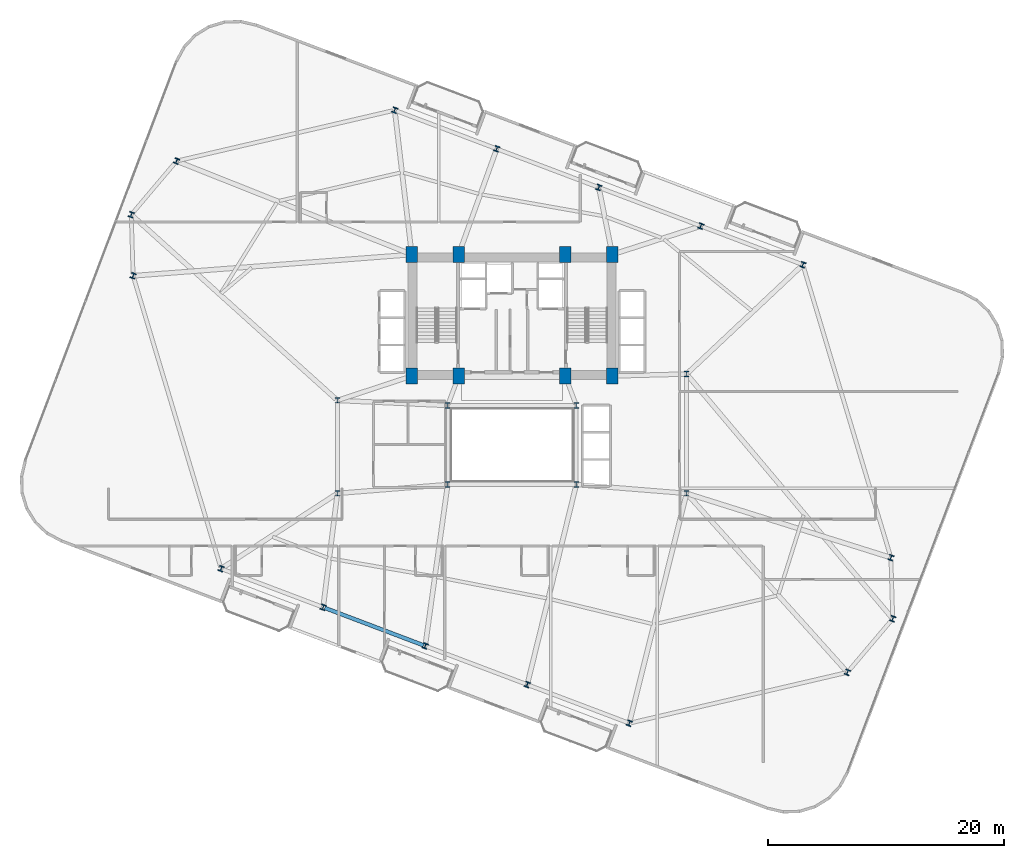
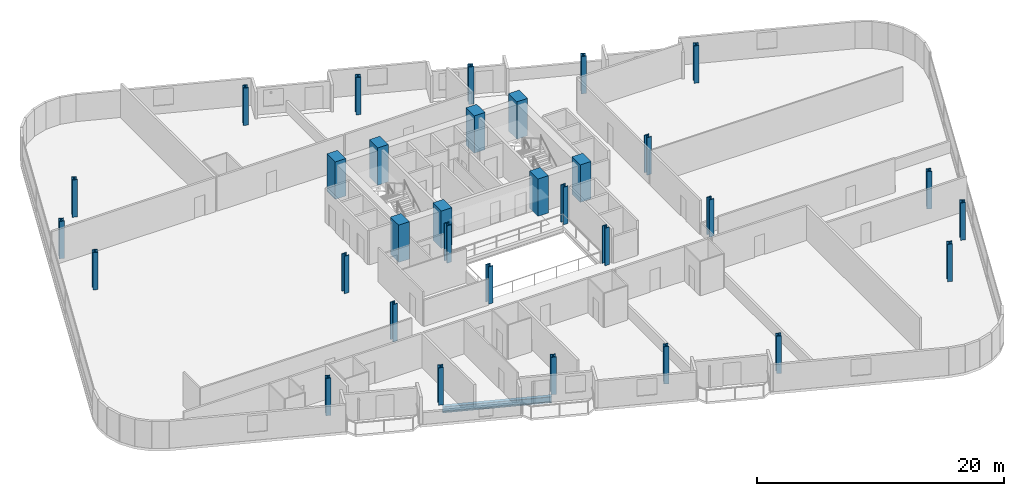
# One storey, part 1 of 25: 32 columns, 1 beam.
"""IFC4 building model written with IfcOpenShell, lengths in metres."""

import ifcopenshell
import ifcopenshell.guid

model = None  # the IFC model being written
_history = None  # IfcOwnerHistory: only IFC2X3 demands one
_inside = {}  # id of a spatial element -> (the spatial element, [elements in it])
_under = {}  # id of a project, library or spatial element -> (it, [spatial elements below it])
_declared = {}  # id of a project -> (the project, [libraries it declares])
_typed = {}  # id of a type object -> (the type object, [elements of that type])
_made_of = {}  # id of a material, layer set ... -> (it, [elements and type objects made of it])


def new_model(schema):
    """Start an empty IFC model of exactly this schema.

    Asked for "IFC4X3", IfcOpenShell would pick the latest addendum, in which some entities
    have other attributes; the version numbers below select the first issue.
    IFC2X3 requires an IfcOwnerHistory on every rooted entity: one is made here for all.
    """
    global model, _history
    if schema == "IFC4X3":
        model = ifcopenshell.file(schema_version=(4, 3, 0, 0))
    else:
        model = ifcopenshell.file(schema=schema)
    _inside.clear()
    _under.clear()
    _declared.clear()
    _typed.clear()
    _made_of.clear()
    _history = None
    if model.schema == "IFC2X3":
        org = make("IfcOrganization", Name="unknown")
        user = make(
            "IfcPersonAndOrganization",
            ThePerson=make("IfcPerson", FamilyName="unknown"),
            TheOrganization=org,
        )
        app = make(
            "IfcApplication",
            ApplicationDeveloper=org,
            Version="unknown",
            ApplicationFullName="unknown",
            ApplicationIdentifier="unknown",
        )
        _history = make(
            "IfcOwnerHistory",
            OwningUser=user,
            OwningApplication=app,
            ChangeAction="ADDED",
            CreationDate=0,
        )
    return model


def make(cls, **values):
    """One entity of the class cls with the attributes given. An attribute that is None is left unset."""
    return model.create_entity(
        cls, **{name: value for name, value in values.items() if value is not None}
    )


def rooted(cls, **values):
    """An entity with a GlobalId (a new one), such as an element, a storey or a relation."""
    return make(cls, GlobalId=ifcopenshell.guid.new(), OwnerHistory=_history, **values)


def si_unit(unit_type, name, prefix=None):
    """IfcSIUnit, for example si_unit("LENGTHUNIT", "METRE", prefix="MILLI")."""
    return make("IfcSIUnit", UnitType=unit_type, Prefix=prefix, Name=name)


def assignment(units):
    """IfcUnitAssignment: the units of a project."""
    return None if units is None else make("IfcUnitAssignment", Units=units)


def point(xyz):
    """IfcCartesianPoint."""
    return None if xyz is None else make("IfcCartesianPoint", Coordinates=xyz)


def direction(xyz):
    """IfcDirection."""
    return None if xyz is None else make("IfcDirection", DirectionRatios=xyz)


def frame(location, z_axis=None, x_axis=None):
    """IfcAxis2Placement3D, a coordinate frame: its origin and axes. An axis left out is left unset."""
    return make(
        "IfcAxis2Placement3D",
        Location=point(location),
        Axis=direction(z_axis),
        RefDirection=direction(x_axis),
    )


def frame_2d(location, x_axis=None):
    """IfcAxis2Placement2D, a coordinate frame in the plane: its origin and x axis."""
    return make(
        "IfcAxis2Placement2D", Location=point(location), RefDirection=direction(x_axis)
    )


def origin():
    """The frame at (0, 0, 0) with its axes left unset."""
    return frame((0.0, 0.0, 0.0))


def origin_2d():
    """The frame at (0, 0) in the plane with its x axis left unset."""
    return frame_2d((0.0, 0.0))


def place(relative_to, where):
    """IfcLocalPlacement: puts the frame where relative to a parent placement (None: the world)."""
    return make(
        "IfcLocalPlacement", PlacementRelTo=relative_to, RelativePlacement=where
    )


def context(
    kind, dimensions, precision=None, world=None, true_north=None, identifier=None
):
    """IfcGeometricRepresentationContext, for example the 3D "Model" context."""
    return make(
        "IfcGeometricRepresentationContext",
        ContextIdentifier=identifier,
        ContextType=kind,
        CoordinateSpaceDimension=dimensions,
        Precision=precision,
        WorldCoordinateSystem=world,
        TrueNorth=true_north,
    )


def subcontext(parent, identifier, kind, view, scale=None):
    """IfcGeometricRepresentationSubContext, for example "Body" below "Model"."""
    return make(
        "IfcGeometricRepresentationSubContext",
        ContextIdentifier=identifier,
        ContextType=kind,
        ParentContext=parent,
        TargetScale=scale,
        TargetView=view,
    )


def project(units=None, contexts=None):
    """IfcProject with its units and contexts."""
    return rooted(
        "IfcProject",
        Name="project",
        RepresentationContexts=contexts,
        UnitsInContext=assignment(units),
    )


def spatial(cls, under=None, at=None, **own):
    """A site, building, storey or space (cls), placed at a placement, below another one or the project."""
    s = rooted(cls, ObjectPlacement=at, **own)
    if under is not None:
        _under.setdefault(under.id(), (under, []))[1].append(s)
    return s


def profile(cls, at=None, kind="AREA", **sizes):
    """A parametric profile (cls). Its sizes go by their IFC names, for example OverallWidth=200.0."""
    return make(cls, ProfileType=kind, Position=at, **sizes)


def rectangle(**sizes):
    """IfcRectangleProfileDef."""
    return profile("IfcRectangleProfileDef", **sizes)


def i_section(**sizes):
    """IfcIShapeProfileDef."""
    return profile("IfcIShapeProfileDef", **sizes)


def extrude(swept, where, along, depth):
    """IfcExtrudedAreaSolid: the profile swept, set in the frame where, extruded along a direction by depth."""
    return make(
        "IfcExtrudedAreaSolid",
        SweptArea=swept,
        Position=where,
        ExtrudedDirection=direction(along),
        Depth=depth,
    )


def shape(context_of_items, identifier, shape_type, items):
    """IfcShapeRepresentation: the items that make up one representation, for example the "Body"."""
    return make(
        "IfcShapeRepresentation",
        ContextOfItems=context_of_items,
        RepresentationIdentifier=identifier,
        RepresentationType=shape_type,
        Items=items,
    )


def material(Name=None, Category=None):
    """IfcMaterial."""
    return make("IfcMaterial", Name=Name, Category=Category)


def material_profile(
    of_material, cross_section, Name=None, Category=None, Priority=None
):
    """IfcMaterialProfile: a cross section and its material."""
    return make(
        "IfcMaterialProfile",
        Name=Name,
        Material=of_material,
        Profile=cross_section,
        Priority=Priority,
        Category=Category,
    )


def profile_set(profiles, Name=None, composite=None):
    """IfcMaterialProfileSet."""
    return make(
        "IfcMaterialProfileSet",
        Name=Name,
        MaterialProfiles=profiles,
        CompositeProfile=composite,
    )


def made_of(thing, what):
    """Note that an element or type object is made of a material, layer set ...; save() writes the relation."""
    if what is not None:
        _made_of.setdefault(what.id(), (what, []))[1].append(thing)
    return thing


def type_object(cls, material=None, **own):
    """A type object (cls), such as IfcWallType, which elements share."""
    return made_of(rooted(cls, **own), material)


def element(
    cls,
    number,
    at=None,
    inside=None,
    cuts=None,
    type_object=None,
    material=None,
    context=None,
    identifier="Body",
    shape_type=None,
    held_by="IfcProductDefinitionShape",
    body=None,
    shapes=None,
    **own,
):
    """One element of the class cls, such as IfcWall. Its Tag is "e" and its number.

    at: its placement. inside: the storey or other place that contains it. cuts: it is an
    opening in that element (IfcRelVoidsElement). A single representation is given by context,
    identifier, shape_type and body (its items); several are given by shapes. held_by: the class
    of the entity that holds the representations. save() writes the other relations.
    """
    e = rooted(cls, Tag="e%d" % number, ObjectPlacement=at, **own)
    if body is not None:
        shapes = [shape(context, identifier, shape_type, body)]
    if shapes is not None:
        e.Representation = make(held_by, Representations=shapes)
    if inside is not None:
        _inside.setdefault(inside.id(), (inside, []))[1].append(e)
    if cuts is not None:
        rooted(
            "IfcRelVoidsElement", RelatingBuildingElement=cuts, RelatedOpeningElement=e
        )
    if type_object is not None:
        _typed.setdefault(type_object.id(), (type_object, []))[1].append(e)
    return made_of(e, material)


def aggregate(whole, parts):
    """IfcRelAggregates: a whole, such as a stair, and the parts it consists of."""
    return rooted("IfcRelAggregates", RelatingObject=whole, RelatedObjects=parts)


def save(model, path):
    """Write the relations noted so far, then the file.

    IfcRelAggregates (storeys below a building ...), IfcRelContainedInSpatialStructure (elements
    in a storey), IfcRelDefinesByType, IfcRelAssociatesMaterial and IfcRelDeclares: one each for
    every whole, place, type object, material and project.
    """
    for whole, parts in _under.values():
        aggregate(whole, parts)
    for where, things in _inside.values():
        rooted(
            "IfcRelContainedInSpatialStructure",
            RelatedElements=things,
            RelatingStructure=where,
        )
    for kind, things in _typed.values():
        rooted("IfcRelDefinesByType", RelatedObjects=things, RelatingType=kind)
    for what, things in _made_of.values():
        rooted("IfcRelAssociatesMaterial", RelatedObjects=things, RelatingMaterial=what)
    for by, libraries in _declared.values():
        rooted("IfcRelDeclares", RelatingContext=by, RelatedDefinitions=libraries)
    model.write(path)


model = new_model("IFC4")

# Units and contexts
model_context = context("Model", 3, precision=1e-05, world=origin(), true_north=direction((0.0, 1.0)))
body_context = subcontext(model_context, "Body", "Model", "MODEL_VIEW")
ifc_project = project(units=[si_unit("LENGTHUNIT", "METRE"), si_unit("AREAUNIT", "SQUARE_METRE"), si_unit("VOLUMEUNIT", "CUBIC_METRE"), si_unit("PLANEANGLEUNIT", "RADIAN"), si_unit("MASSUNIT", "GRAM", prefix="KILO")], contexts=[model_context])

# Site, building, storey
site_placement = place(None, origin())
site = spatial("IfcSite", under=ifc_project, at=site_placement, CompositionType="ELEMENT")
building_placement = place(site_placement, origin())
building = spatial("IfcBuilding", under=site, at=building_placement, Name="Varnelok Gate Tower", CompositionType="ELEMENT")
storey_placement = place(building_placement, frame((0.0, 0.0, 113.199951171875)))
storey = spatial("IfcBuildingStorey", under=building, at=storey_placement, Name="L28", CompositionType="ELEMENT", Elevation=113.199951171875)

# Columns
ifc_material_1 = material(Name="Concrete C70/85", Category="concrete")
ifc_material_profile_1 = material_profile(ifc_material_1, rectangle(XDim=1.0, YDim=1.35009765625, at=origin_2d()), Name="RC1350X1000")
ifc_profile_set_1 = profile_set([ifc_material_profile_1], Name="Concrete C70/85")
column_type_1 = type_object("IfcColumnType", Name="COL-RC1350X1000", PredefinedType="COLUMN", material=ifc_profile_set_1)
for number, where, z_axis, x_axis, name in (
    (1, (30.699951171875, 28.75, 0.0), (0.0, 0.0, 1.0), (1.0, 0.0, 0.0), "L28 Core Spine Column SC1"),
    (2, (34.679931640625, 28.75, 0.0), (0.0, 0.0, 1.0), (1.0, 0.0, 0.0), "L28 Core Spine Column SC2"),
    (3, (43.719970703125, 28.75, 0.0), (0.0, 0.0, 1.0), (1.0, 0.0, 0.0), "L28 Core Spine Column SC3"),
    (4, (47.699951171875, 28.75, 0.0), (0.0, 0.0, 1.0), (1.0, 0.0, 0.0), "L28 Core Spine Column SC4"),
    (5, (30.699951171875, 39.050048828125, 0.0), (0.0, 0.0, 1.0), (1.0, 0.0, 0.0), "L28 Core Spine Column SC5"),
    (6, (34.679931640625, 39.050048828125, 0.0), (0.0, 0.0, 1.0), (1.0, 0.0, 0.0), "L28 Core Spine Column SC6"),
    (7, (43.719970703125, 39.050048828125, 0.0), (0.0, 0.0, 1.0), (1.0, 0.0, 0.0), "L28 Core Spine Column SC7"),
    (8, (47.699951171875, 39.050048828125, 0.0), (0.0, 0.0, 1.0), (1.0, 0.0, 0.0), "L28 Core Spine Column SC8"),
):
    element("IfcColumn", number, at=place(storey_placement, frame(where, z_axis=z_axis, x_axis=x_axis)), inside=storey, type_object=column_type_1, Name=name, PredefinedType="COLUMN", context=body_context, shape_type="SweptSolid", body=[
        extrude(rectangle(XDim=1.0, YDim=1.35009765625, at=origin_2d()), origin(), (0.0, 0.0, 1.0), 3.699951171875),
    ])
ifc_material_2 = material(Name="Structural Steel ASTM A992 Grade 50", Category="steel")
ifc_material_profile_2 = material_profile(ifc_material_2, i_section(OverallWidth=0.424072265625, OverallDepth=0.47412109375, WebThickness=0.047607421875, FlangeThickness=0.0771484375, FilletRadius=0.02490234375, at=origin_2d()), Name="W14X426")
ifc_profile_set_2 = profile_set([ifc_material_profile_2], Name="Structural Steel ASTM A992 Grade 50")
column_type_2 = type_object("IfcColumnType", Name="COL-W14X426", PredefinedType="COLUMN", material=ifc_profile_set_2)
for number, where, z_axis, x_axis, name in (
    (9, (33.75, 19.550048828125, 0.0), (0.0, 0.0, 1.0), (1.0, 0.0, 0.0), "L28 Atrium Spine Column AC1"),
    (10, (44.64990234375, 19.550048828125, 0.0), (0.0, 0.0, 1.0), (1.0, 0.0, 0.0), "L28 Atrium Spine Column AC2"),
    (11, (33.75, 26.25, 0.0), (0.0, 0.0, 1.0), (1.0, 0.0, 0.0), "L28 Atrium Spine Column AC3"),
    (12, (44.64990234375, 26.25, 0.0), (0.0, 0.0, 1.0), (1.0, 0.0, 0.0), "L28 Atrium Spine Column AC4"),
    (13, (24.39990234375, 18.800048828125, 0.0), (0.0, 0.0, 1.0), (1.0, 0.0, 0.0), "L28 Wing Spine Column WS1"),
    (14, (24.39990234375, 26.679931640625, 0.0), (0.0, 0.0, 1.0), (1.0, 0.0, 0.0), "L28 Wing Spine Column WS2"),
    (15, (54.0, 18.800048828125, 0.0), (0.0, 0.0, 1.0), (1.0, 0.0, 0.0), "L28 Wing Spine Column ES1"),
    (16, (54.0, 28.919921875, 0.0), (0.0, 0.0, 1.0), (1.0, 0.0, 0.0), "L28 Wing Spine Column ES2"),
    (17, (14.541015625, 12.416259765625, 0.0), (0.0, 0.0, 1.0), (0.935221751401, -0.354062530786, 0.0), "L28 B2 Perimeter Column PC01"),
    (18, (23.19189453125, 9.14111328125, 0.0), (0.0, 0.0, 1.0), (0.935221751401, -0.354062530786, 0.0), "L28 B2 Perimeter Column PC02"),
    (19, (31.842529296875, 5.8662109375, 0.0), (0.0, 0.0, 1.0), (0.935221751401, -0.354062530786, 0.0), "L28 B2 Perimeter Column PC03"),
    (20, (40.493408203125, 2.591064453125, 0.0), (0.0, 0.0, 1.0), (0.935221751401, -0.354062530786, 0.0), "L28 B2 Perimeter Column PC04"),
    (21, (49.144287109375, -0.68408203125, 0.0), (0.0, 0.0, 1.0), (0.935221751401, -0.354062530786, 0.0), "L28 B2 Perimeter Column PC05"),
    (22, (67.63671875, 3.627685546875, 0.0), (0.0, 0.0, 1.0), (0.935221751401, -0.354062530786, 0.0), "L28 B2 Perimeter Column PC06"),
    (23, (71.4765625, 8.172607421875, 0.0), (0.0, 0.0, 1.0), (0.935221751401, -0.354062530786, 0.0), "L28 B2 Perimeter Column PC07"),
    (24, (71.319091796875, 13.35400390625, 0.0), (0.0, 0.0, 1.0), (0.935221751401, -0.354062530786, 0.0), "L28 B2 Perimeter Column PC08"),
    (25, (63.85888671875, 38.183837890625, 0.0), (0.0, 0.0, 1.0), (0.935221751401, -0.354062530786, 0.0), "L28 B2 Perimeter Column PC09"),
    (26, (55.208251953125, 41.458740234375, 0.0), (0.0, 0.0, 1.0), (0.935221751401, -0.354062530786, 0.0), "L28 B2 Perimeter Column PC10"),
    (27, (46.557373046875, 44.73388671875, 0.0), (0.0, 0.0, 1.0), (0.935221751401, -0.354062530786, 0.0), "L28 B2 Perimeter Column PC11"),
    (28, (37.906494140625, 48.009033203125, 0.0), (0.0, 0.0, 1.0), (0.935221751401, -0.354062530786, 0.0), "L28 B2 Perimeter Column PC12"),
    (29, (29.255859375, 51.2841796875, 0.0), (0.0, 0.0, 1.0), (0.935221751401, -0.354062530786, 0.0), "L28 B2 Perimeter Column PC13"),
    (30, (10.76318359375, 46.972412109375, 0.0), (0.0, 0.0, 1.0), (0.935221751401, -0.354062530786, 0.0), "L28 B2 Perimeter Column PC14"),
    (31, (6.92333984375, 42.427490234375, 0.0), (0.0, 0.0, 1.0), (0.935221751401, -0.354062530786, 0.0), "L28 B2 Perimeter Column PC15"),
    (32, (7.0810546875, 37.24609375, 0.0), (0.0, 0.0, 1.0), (0.935221751401, -0.354062530786, 0.0), "L28 B2 Perimeter Column PC16"),
):
    element("IfcColumn", number, at=place(storey_placement, frame(where, z_axis=z_axis, x_axis=x_axis)), inside=storey, type_object=column_type_2, Name=name, PredefinedType="COLUMN", context=body_context, shape_type="SweptSolid", body=[
        extrude(i_section(OverallWidth=0.424072265625, OverallDepth=0.47412109375, WebThickness=0.047607421875, FlangeThickness=0.0771484375, FilletRadius=0.02490234375, at=origin_2d()), origin(), (0.0, 0.0, 1.0), 3.699951171875),
    ])

# Beam
ifc_material_profile_3 = material_profile(ifc_material_2, i_section(OverallWidth=0.323974609375, OverallDepth=0.611083984375, WebThickness=0.0126953125, FlangeThickness=0.01904296875, FilletRadius=0.01806640625, at=origin_2d()), Name="W24X104")
ifc_profile_set_3 = profile_set([ifc_material_profile_3], Name="Structural Steel ASTM A992 Grade 50")
beam_type = type_object("IfcBeamType", Name="BM-SPN-W24X104", PredefinedType="SPANDREL", material=ifc_profile_set_3)
beam_placement = place(storey_placement, frame((23.33203125, 9.088134765625, -0.555419921875), z_axis=(0.935220356141, -0.354066216208, 0.0), x_axis=(0.354066216208, 0.935220356141, 0.0)))
element("IfcBeam", 33, at=beam_placement, inside=storey, type_object=beam_type, Name="L28 Perimeter Spandrel Beam 2", PredefinedType="SPANDREL", context=body_context, shape_type="SweptSolid", body=[
    extrude(i_section(OverallWidth=0.323974609375, OverallDepth=0.611083984375, WebThickness=0.0126953125, FlangeThickness=0.01904296875, FilletRadius=0.01806640625, at=origin_2d()), origin(), (0.0, 0.0, 1.0), 8.9501953125),
])

save(model, "model.ifc")
